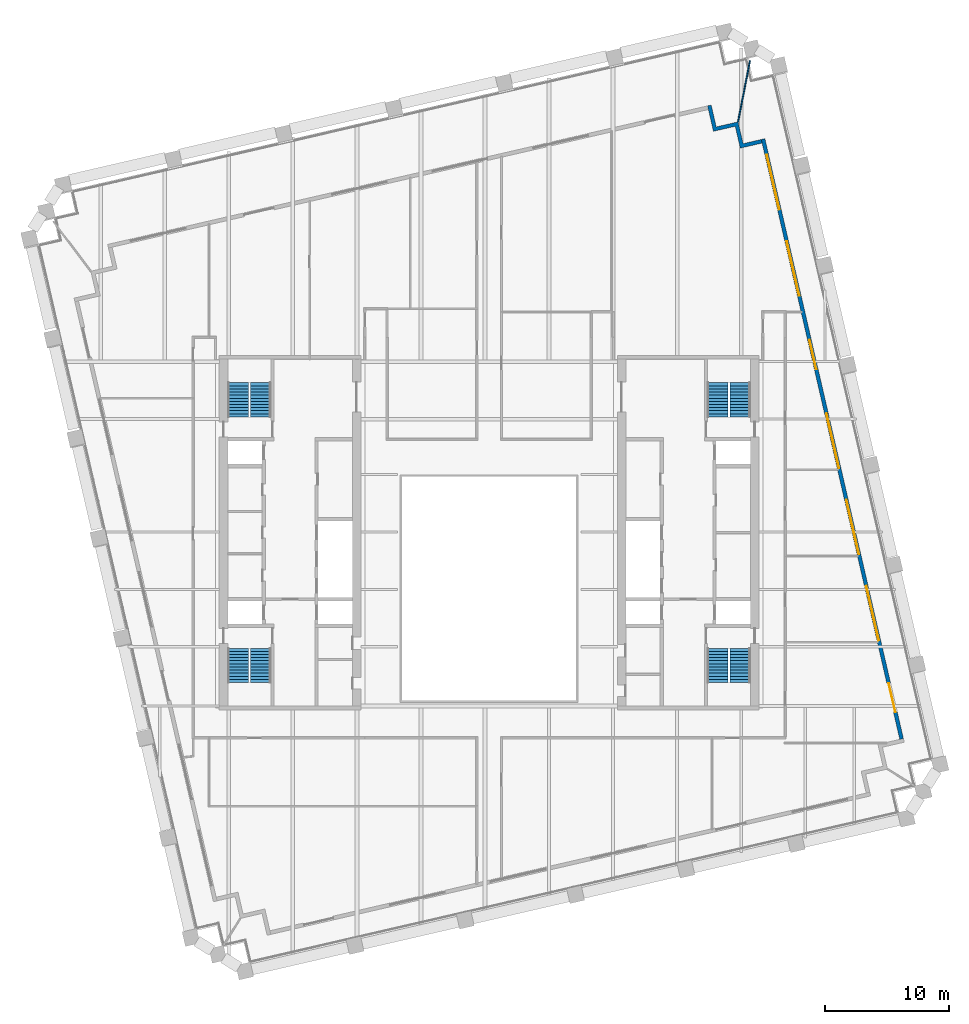
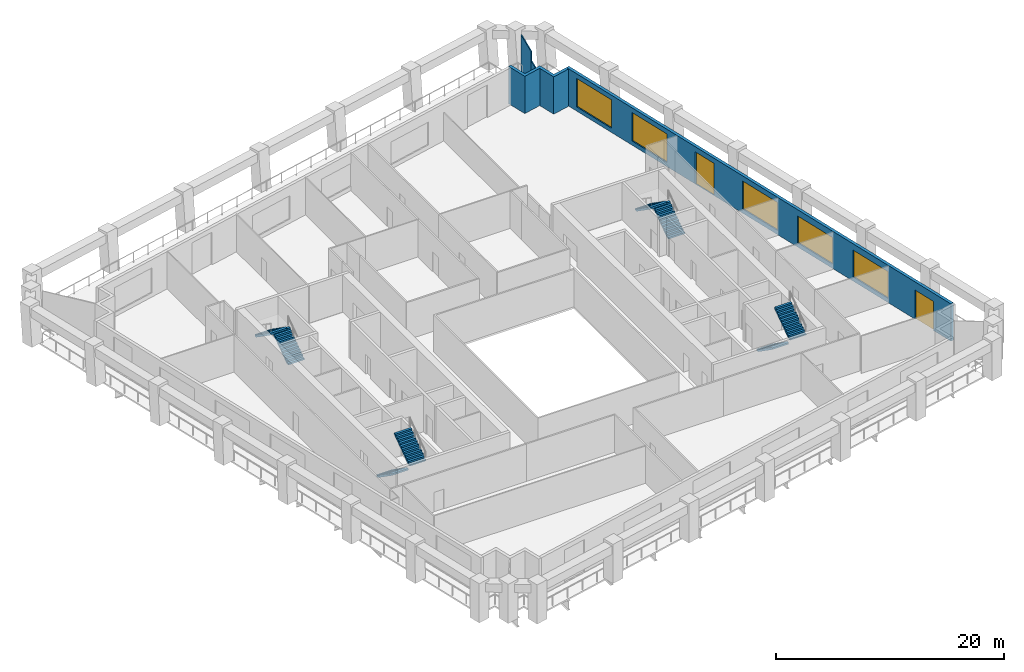
# One storey, part 8 of 10: 8 stair flights, 5 windows, 4 walls, 2 doors, 7 openings, 4 elements without a shape of their own.
"""IFC4 building model written with IfcOpenShell, lengths in metres."""

from ifc_helpers import new_model, si_unit, direction, frame, frame_2d, origin, place, context, subcontext, project, spatial, polyline, rectangle, outline, extrude, material, layer, layer_set, type_object, element, fill, aggregate, save


model = new_model("IFC4")

# Units and contexts
model_context = context("Model", 3, precision=1e-05, world=origin(), true_north=direction((0.0, 1.0)))
body_context = subcontext(model_context, "Body", "Model", "MODEL_VIEW")
ifc_project = project(units=[si_unit("LENGTHUNIT", "METRE"), si_unit("AREAUNIT", "SQUARE_METRE"), si_unit("VOLUMEUNIT", "CUBIC_METRE"), si_unit("PLANEANGLEUNIT", "RADIAN"), si_unit("MASSUNIT", "GRAM", prefix="KILO")], contexts=[model_context])

# Site, building, storey
site_placement = place(None, origin())
site = spatial("IfcSite", under=ifc_project, at=site_placement, CompositionType="ELEMENT")
building_placement = place(site_placement, origin())
building = spatial("IfcBuilding", under=site, at=building_placement, Name="Ogive Exchange Tower", CompositionType="ELEMENT")
storey_placement = place(building_placement, frame((0.0, 0.0, 201.0)))
storey = spatial("IfcBuildingStorey", under=building, at=storey_placement, Name="L44", CompositionType="ELEMENT", Elevation=201.0)

# Wall, openings, doors, windows
ifc_material_1 = material(Name="Precast concrete C40/50", Category="concrete")
ifc_layer_1 = layer(ifc_material_1, 0.300048828125)
ifc_layer_set_1 = layer_set([ifc_layer_1], Name="Limestone-faced wall 300")
wall_type_1 = type_object("IfcWallType", Name="Limestone-faced wall 300", PredefinedType="STANDARD", material=ifc_layer_set_1)
wall_1_placement = place(storey_placement, frame((33.1572265625, -5.092041015625, 0.0), z_axis=(0.0, 0.0, 1.0), x_axis=(-0.224950279389, 0.974370243697, 0.0)))
wall_1 = element("IfcWall", 1, at=wall_1_placement, inside=storey, type_object=wall_type_1, Name="External wall E2", PredefinedType="STANDARD", context=body_context, shape_type="SweptSolid", body=[
    extrude(rectangle(XDim=49.499755859375, YDim=0.300048828125, at=frame_2d((24.75, 0.0))), origin(), (0.0, 0.0, 1.0), 4.0),
])
opening_1_placement = place(wall_1_placement, frame((2.20703125, 0.0, 0.0)))
opening_1 = element("IfcOpeningElement", 2, at=opening_1_placement, cuts=wall_1, Name="Opening D1J", PredefinedType="OPENING", context=body_context, shape_type="SweptSolid", body=[
    extrude(rectangle(XDim=2.39990234375, YDim=3.125, at=frame_2d((1.199951171875, 1.5625))), frame((0.0, 0.159912109375, 0.0), z_axis=(0.0, -1.0, 0.0), x_axis=(1.0, 0.0, 0.0)), (0.0, 0.0, 1.0), 0.320068359375),
])
opening_2_placement = place(wall_1_placement, frame((8.121337890625, 0.0, 0.449951171875)))
opening_2 = element("IfcOpeningElement", 3, at=opening_2_placement, cuts=wall_1, Name="Opening W1D", PredefinedType="OPENING", context=body_context, shape_type="SweptSolid", body=[
    extrude(rectangle(XDim=4.5, YDim=2.875, at=frame_2d((2.25, 1.4375))), frame((0.0, 0.159912109375, 0.0), z_axis=(0.0, -1.0, 0.0), x_axis=(1.0, 0.0, 0.0)), (0.0, 0.0, 1.0), 0.320068359375),
])
opening_3_placement = place(wall_1_placement, frame((15.235595703125, 0.0, 0.449951171875)))
opening_3 = element("IfcOpeningElement", 4, at=opening_3_placement, cuts=wall_1, Name="Opening W1D", PredefinedType="OPENING", context=body_context, shape_type="SweptSolid", body=[
    extrude(rectangle(XDim=4.5, YDim=2.875, at=frame_2d((2.25, 1.4375))), frame((0.0, 0.159912109375, 0.0), z_axis=(0.0, -1.0, 0.0), x_axis=(1.0, 0.0, 0.0)), (0.0, 0.0, 1.0), 0.320068359375),
])
opening_4_placement = place(wall_1_placement, frame((22.35009765625, 0.0, 0.449951171875)))
opening_4 = element("IfcOpeningElement", 5, at=opening_4_placement, cuts=wall_1, Name="Opening W1A", PredefinedType="OPENING", context=body_context, shape_type="SweptSolid", body=[
    extrude(rectangle(XDim=4.5, YDim=3.0, at=frame_2d((2.25, 1.5))), frame((0.0, 0.159912109375, 0.0), z_axis=(0.0, -1.0, 0.0), x_axis=(1.0, 0.0, 0.0)), (0.0, 0.0, 1.0), 0.320068359375),
])
opening_5_placement = place(wall_1_placement, frame((30.51416015625, 0.0, 0.0)))
opening_5 = element("IfcOpeningElement", 6, at=opening_5_placement, cuts=wall_1, Name="Opening D1A", PredefinedType="OPENING", context=body_context, shape_type="SweptSolid", body=[
    extrude(rectangle(XDim=2.39990234375, YDim=3.449951171875, at=frame_2d((1.199951171875, 1.72509765625))), frame((0.0, 0.159912109375, 0.0), z_axis=(0.0, -1.0, 0.0), x_axis=(1.0, 0.0, 0.0)), (0.0, 0.0, 1.0), 0.320068359375),
])
opening_6_placement = place(wall_1_placement, frame((36.57861328125, 0.0, 0.449951171875)))
opening_6 = element("IfcOpeningElement", 7, at=opening_6_placement, cuts=wall_1, Name="Opening W1", PredefinedType="OPENING", context=body_context, shape_type="SweptSolid", body=[
    extrude(rectangle(XDim=4.5, YDim=3.050048828125, at=frame_2d((2.25, 1.52490234375))), frame((0.0, 0.159912109375, 0.0), z_axis=(0.0, -1.0, 0.0), x_axis=(1.0, 0.0, 0.0)), (0.0, 0.0, 1.0), 0.320068359375),
])
opening_7_placement = place(wall_1_placement, frame((43.69287109375, 0.0, 0.449951171875)))
opening_7 = element("IfcOpeningElement", 8, at=opening_7_placement, cuts=wall_1, Name="Opening W1", PredefinedType="OPENING", context=body_context, shape_type="SweptSolid", body=[
    extrude(rectangle(XDim=4.5, YDim=3.050048828125, at=frame_2d((2.25, 1.52490234375))), frame((0.0, 0.159912109375, 0.0), z_axis=(0.0, -1.0, 0.0), x_axis=(1.0, 0.0, 0.0)), (0.0, 0.0, 1.0), 0.320068359375),
])
ifc_material_2 = material(Name="Clear glass in bronze frame", Category="glass")
door_type_1 = type_object("IfcDoorType", Name="Sliding loggia door 2400 x 3125", OperationType="DOUBLE_DOOR_SLIDING", PredefinedType="DOOR", material=ifc_material_2)
door_1_placement = place(opening_1_placement, origin())
door_1 = element("IfcDoor", 9, at=door_1_placement, inside=storey, type_object=door_type_1, Name="Loggia door E00", OperationType="DOUBLE_DOOR_SLIDING", OverallHeight=3.125, OverallWidth=2.39990234375, PredefinedType="DOOR", context=body_context, shape_type="SweptSolid", body=[
    extrude(rectangle(XDim=2.39990234375, YDim=3.125, at=frame_2d((1.199951171875, 1.5625))), frame((0.0, 0.02490234375, 0.0), z_axis=(0.0, -1.0, 0.0), x_axis=(1.0, 0.0, 0.0)), (0.0, 0.0, 1.0), 0.050048828125),
])
fill(opening_1, door_1)
door_type_2 = type_object("IfcDoorType", Name="Sliding loggia door 2400 x 3450", OperationType="DOUBLE_DOOR_SLIDING", PredefinedType="DOOR", material=ifc_material_2)
door_2_placement = place(opening_5_placement, origin())
door_2 = element("IfcDoor", 10, at=door_2_placement, inside=storey, type_object=door_type_2, Name="Loggia door E04", OperationType="DOUBLE_DOOR_SLIDING", OverallHeight=3.449951171875, OverallWidth=2.39990234375, PredefinedType="DOOR", context=body_context, shape_type="SweptSolid", body=[
    extrude(rectangle(XDim=2.39990234375, YDim=3.449951171875, at=frame_2d((1.199951171875, 1.72509765625))), frame((0.0, 0.02490234375, 0.0), z_axis=(0.0, -1.0, 0.0), x_axis=(1.0, 0.0, 0.0)), (0.0, 0.0, 1.0), 0.050048828125),
])
fill(opening_5, door_2)
window_type_1 = type_object("IfcWindowType", Name="Twin lancet window 4500 x 2875", PartitioningType="DOUBLE_PANEL_VERTICAL", PredefinedType="WINDOW", material=ifc_material_2)
window_1_placement = place(opening_2_placement, origin())
window_1 = element("IfcWindow", 11, at=window_1_placement, inside=storey, type_object=window_type_1, Name="Window E01", OverallHeight=2.875, OverallWidth=4.5, PartitioningType="DOUBLE_PANEL_VERTICAL", PredefinedType="WINDOW", context=body_context, shape_type="SweptSolid", body=[
    extrude(rectangle(XDim=4.5, YDim=2.875, at=frame_2d((2.25, 1.4375))), frame((0.0, 0.030029296875, 0.0), z_axis=(0.0, -1.0, 0.0), x_axis=(1.0, 0.0, 0.0)), (0.0, 0.0, 1.0), 0.06005859375),
])
fill(opening_2, window_1)
window_2_placement = place(opening_3_placement, origin())
window_2 = element("IfcWindow", 12, at=window_2_placement, inside=storey, type_object=window_type_1, Name="Window E02", OverallHeight=2.875, OverallWidth=4.5, PartitioningType="DOUBLE_PANEL_VERTICAL", PredefinedType="WINDOW", context=body_context, shape_type="SweptSolid", body=[
    extrude(rectangle(XDim=4.5, YDim=2.875, at=frame_2d((2.25, 1.4375))), frame((0.0, 0.030029296875, 0.0), z_axis=(0.0, -1.0, 0.0), x_axis=(1.0, 0.0, 0.0)), (0.0, 0.0, 1.0), 0.06005859375),
])
fill(opening_3, window_2)
window_type_2 = type_object("IfcWindowType", Name="Twin lancet window 4500 x 3000", PartitioningType="DOUBLE_PANEL_VERTICAL", PredefinedType="WINDOW", material=ifc_material_2)
window_3_placement = place(opening_4_placement, origin())
window_3 = element("IfcWindow", 13, at=window_3_placement, inside=storey, type_object=window_type_2, Name="Window E03", OverallHeight=3.0, OverallWidth=4.5, PartitioningType="DOUBLE_PANEL_VERTICAL", PredefinedType="WINDOW", context=body_context, shape_type="SweptSolid", body=[
    extrude(rectangle(XDim=4.5, YDim=3.0, at=frame_2d((2.25, 1.5))), frame((0.0, 0.030029296875, 0.0), z_axis=(0.0, -1.0, 0.0), x_axis=(1.0, 0.0, 0.0)), (0.0, 0.0, 1.0), 0.06005859375),
])
fill(opening_4, window_3)
window_type_3 = type_object("IfcWindowType", Name="Twin lancet window 4500 x 3050", PartitioningType="DOUBLE_PANEL_VERTICAL", PredefinedType="WINDOW", material=ifc_material_2)
window_4_placement = place(opening_6_placement, origin())
window_4 = element("IfcWindow", 14, at=window_4_placement, inside=storey, type_object=window_type_3, Name="Window E05", OverallHeight=3.050048828125, OverallWidth=4.5, PartitioningType="DOUBLE_PANEL_VERTICAL", PredefinedType="WINDOW", context=body_context, shape_type="SweptSolid", body=[
    extrude(rectangle(XDim=4.5, YDim=3.050048828125, at=frame_2d((2.25, 1.52490234375))), frame((0.0, 0.030029296875, 0.0), z_axis=(0.0, -1.0, 0.0), x_axis=(1.0, 0.0, 0.0)), (0.0, 0.0, 1.0), 0.06005859375),
])
fill(opening_6, window_4)
window_5_placement = place(opening_7_placement, origin())
window_5 = element("IfcWindow", 15, at=window_5_placement, inside=storey, type_object=window_type_3, Name="Window E06", OverallHeight=3.050048828125, OverallWidth=4.5, PartitioningType="DOUBLE_PANEL_VERTICAL", PredefinedType="WINDOW", context=body_context, shape_type="SweptSolid", body=[
    extrude(rectangle(XDim=4.5, YDim=3.050048828125, at=frame_2d((2.25, 1.52490234375))), frame((0.0, 0.030029296875, 0.0), z_axis=(0.0, -1.0, 0.0), x_axis=(1.0, 0.0, 0.0)), (0.0, 0.0, 1.0), 0.06005859375),
])
fill(opening_7, window_5)

# Walls
wall_2_placement = place(storey_placement, origin())
element("IfcWall", 16, at=wall_2_placement, inside=storey, type_object=wall_type_1, Name="External corner wall C2", PredefinedType="STANDARD", context=body_context, shape_type="SweptSolid", body=[
    extrude(outline(polyline([(19.78466796875, 44.162109375), (18.03076171875, 43.757080078125), (17.558349609375, 45.80322265625), (17.8505859375, 45.870849609375), (18.255615234375, 44.116943359375), (20.009521484375, 44.52197265625), (20.414306640625, 42.76806640625), (21.8759765625, 43.10546875), (21.943359375, 42.81298828125), (20.189697265625, 42.408203125), (19.78466796875, 44.162109375)])), origin(), (0.0, 0.0, 1.0), 4.0),
])
ifc_material_3 = material(Name="Laminated safety glass in steel frame", Category="steel")
ifc_layer_2 = layer(ifc_material_3, 0.10009765625)
ifc_layer_set_2 = layer_set([ifc_layer_2], Name="Loggia end screen 100")
wall_type_2 = type_object("IfcWallType", Name="Loggia end screen 100", PredefinedType="STANDARD", material=ifc_layer_set_2)
wall_3_placement = place(storey_placement, frame((20.009521484375, 44.52197265625, -0.050048828125), z_axis=(0.0, 0.0, 1.0), x_axis=(0.191885207639, 0.981417376598, 0.0)))
element("IfcWall", 17, at=wall_3_placement, inside=storey, type_object=wall_type_2, Name="Loggia end screen C2", PredefinedType="STANDARD", context=body_context, shape_type="SweptSolid", body=[
    extrude(rectangle(XDim=2.2646484375, YDim=0.10009765625, at=frame_2d((1.13232421875, 0.0))), origin(), (0.0, 0.0, 1.0), 3.070068359375),
])
wall_4_placement = place(storey_placement, frame((20.444091796875, 46.74462890625, -0.050048828125), z_axis=(0.0, 0.0, 1.0), x_axis=(0.191918760648, 0.981410815771, 0.0)))
element("IfcWall", 18, at=wall_4_placement, inside=storey, type_object=wall_type_2, Name="Loggia end screen C2", PredefinedType="STANDARD", context=body_context, shape_type="SweptSolid", body=[
    extrude(rectangle(XDim=2.7529296875, YDim=0.10009765625, at=frame_2d((1.37646484375, 0.0))), origin(), (0.0, 0.0, 1.0), 4.050048828125),
])

# Stair, stair flights
ifc_material_4 = material(Name="Concrete C40/50", Category="concrete")
stair_type = type_object("IfcStairType", Name="Exit stair 1650 wide", PredefinedType="HALF_TURN_STAIR", material=ifc_material_4)
stair_1_placement = place(storey_placement, origin())
stair_1 = element("IfcStair", 19, at=stair_1_placement, inside=storey, type_object=stair_type, Name="L44 exit stair ST1", PredefinedType="HALF_TURN_STAIR")
stair_flight_type = type_object("IfcStairFlightType", Name="Stair flight 1650 wide", PredefinedType="STRAIGHT", material=ifc_material_4)
stair_flight_1_placement = place(storey_placement, frame((-20.175048828125, 2.199951171875, 0.0), z_axis=(0.0, 0.0, 1.0), x_axis=(0.0, -1.0, 0.0)))
stair_flight_1 = element("IfcStairFlight", 20, at=stair_flight_1_placement, type_object=stair_flight_type, Name="ST1 flight 1", NumberOfRisers=12, NumberOfTreads=11, PredefinedType="STRAIGHT", RiserHeight=0.175, TreadLength=0.25, context=body_context, shape_type="SweptSolid", body=[
    extrude(outline(polyline([(0.0, 0.0), (0.0, 0.175048828125), (0.25, 0.175048828125), (0.25, 0.35009765625), (0.5, 0.35009765625), (0.5, 0.52490234375), (0.75, 0.52490234375), (0.75, 0.699951171875), (1.0, 0.699951171875), (1.0, 0.875), (1.25, 0.875), (1.25, 1.050048828125), (1.5, 1.050048828125), (1.5, 1.22509765625), (1.75, 1.22509765625), (1.75, 1.39990234375), (2.0, 1.39990234375), (2.0, 1.574951171875), (2.25, 1.574951171875), (2.25, 1.75), (2.5, 1.75), (2.5, 1.925048828125), (2.75, 1.925048828125), (2.75, 2.10009765625), (2.75, 1.741943359375), (0.261474609375, 0.0), (0.0, 0.0)])), frame((0.0, 0.824951171875, 0.0), z_axis=(0.0, -1.0, 0.0), x_axis=(1.0, 0.0, 0.0)), (0.0, 0.0, 1.0), 1.64990234375),
])
stair_flight_2_placement = place(storey_placement, frame((-18.375, -0.550048828125, 2.10009765625), z_axis=(0.0, 0.0, 1.0), x_axis=(0.0, 1.0, 0.0)))
stair_flight_2 = element("IfcStairFlight", 21, at=stair_flight_2_placement, type_object=stair_flight_type, Name="ST1 flight 2", NumberOfRisers=12, NumberOfTreads=11, PredefinedType="STRAIGHT", RiserHeight=0.175, TreadLength=0.25, context=body_context, shape_type="SweptSolid", body=[
    extrude(outline(polyline([(0.0, 0.0), (0.0, 0.175048828125), (0.25, 0.175048828125), (0.25, 0.35009765625), (0.5, 0.35009765625), (0.5, 0.52490234375), (0.75, 0.52490234375), (0.75, 0.699951171875), (1.0, 0.699951171875), (1.0, 0.875), (1.25, 0.875), (1.25, 1.050048828125), (1.5, 1.050048828125), (1.5, 1.22509765625), (1.75, 1.22509765625), (1.75, 1.39990234375), (2.0, 1.39990234375), (2.0, 1.574951171875), (2.25, 1.574951171875), (2.25, 1.75), (2.5, 1.75), (2.5, 1.925048828125), (2.75, 1.925048828125), (2.75, 2.10009765625), (2.75, 1.741943359375), (0.261474609375, 0.0), (0.0, 0.0)])), frame((0.0, 0.824951171875, 0.0), z_axis=(0.0, -1.0, 0.0), x_axis=(1.0, 0.0, 0.0)), (0.0, 0.0, 1.0), 1.64990234375),
])
aggregate(stair_1, [stair_flight_1, stair_flight_2])

stair_2_placement = place(storey_placement, origin())
stair_2 = element("IfcStair", 22, at=stair_2_placement, inside=storey, type_object=stair_type, Name="L44 exit stair ST2", PredefinedType="HALF_TURN_STAIR")
stair_flight_3_placement = place(storey_placement, frame((-18.375, 20.800048828125, 0.0), z_axis=(0.0, 0.0, 1.0), x_axis=(0.0, 1.0, 0.0)))
stair_flight_3 = element("IfcStairFlight", 23, at=stair_flight_3_placement, type_object=stair_flight_type, Name="ST2 flight 1", NumberOfRisers=12, NumberOfTreads=11, PredefinedType="STRAIGHT", RiserHeight=0.175, TreadLength=0.25, context=body_context, shape_type="SweptSolid", body=[
    extrude(outline(polyline([(0.0, 0.0), (0.0, 0.175048828125), (0.25, 0.175048828125), (0.25, 0.35009765625), (0.5, 0.35009765625), (0.5, 0.52490234375), (0.75, 0.52490234375), (0.75, 0.699951171875), (1.0, 0.699951171875), (1.0, 0.875), (1.25, 0.875), (1.25, 1.050048828125), (1.5, 1.050048828125), (1.5, 1.22509765625), (1.75, 1.22509765625), (1.75, 1.39990234375), (2.0, 1.39990234375), (2.0, 1.574951171875), (2.25, 1.574951171875), (2.25, 1.75), (2.5, 1.75), (2.5, 1.925048828125), (2.75, 1.925048828125), (2.75, 2.10009765625), (2.75, 1.741943359375), (0.261474609375, 0.0), (0.0, 0.0)])), frame((0.0, 0.824951171875, 0.0), z_axis=(0.0, -1.0, 0.0), x_axis=(1.0, 0.0, 0.0)), (0.0, 0.0, 1.0), 1.64990234375),
])
stair_flight_4_placement = place(storey_placement, frame((-20.175048828125, 23.550048828125, 2.10009765625), z_axis=(0.0, 0.0, 1.0), x_axis=(0.0, -1.0, 0.0)))
stair_flight_4 = element("IfcStairFlight", 24, at=stair_flight_4_placement, type_object=stair_flight_type, Name="ST2 flight 2", NumberOfRisers=12, NumberOfTreads=11, PredefinedType="STRAIGHT", RiserHeight=0.175, TreadLength=0.25, context=body_context, shape_type="SweptSolid", body=[
    extrude(outline(polyline([(0.0, 0.0), (0.0, 0.175048828125), (0.25, 0.175048828125), (0.25, 0.35009765625), (0.5, 0.35009765625), (0.5, 0.52490234375), (0.75, 0.52490234375), (0.75, 0.699951171875), (1.0, 0.699951171875), (1.0, 0.875), (1.25, 0.875), (1.25, 1.050048828125), (1.5, 1.050048828125), (1.5, 1.22509765625), (1.75, 1.22509765625), (1.75, 1.39990234375), (2.0, 1.39990234375), (2.0, 1.574951171875), (2.25, 1.574951171875), (2.25, 1.75), (2.5, 1.75), (2.5, 1.925048828125), (2.75, 1.925048828125), (2.75, 2.10009765625), (2.75, 1.741943359375), (0.261474609375, 0.0), (0.0, 0.0)])), frame((0.0, 0.824951171875, 0.0), z_axis=(0.0, -1.0, 0.0), x_axis=(1.0, 0.0, 0.0)), (0.0, 0.0, 1.0), 1.64990234375),
])
aggregate(stair_2, [stair_flight_3, stair_flight_4])

stair_3_placement = place(storey_placement, origin())
stair_3 = element("IfcStair", 25, at=stair_3_placement, inside=storey, type_object=stair_type, Name="L44 exit stair ST3", PredefinedType="HALF_TURN_STAIR")
stair_flight_5_placement = place(storey_placement, frame((18.375, 2.199951171875, 0.0), z_axis=(0.0, 0.0, 1.0), x_axis=(0.0, -1.0, 0.0)))
stair_flight_5 = element("IfcStairFlight", 26, at=stair_flight_5_placement, type_object=stair_flight_type, Name="ST3 flight 1", NumberOfRisers=12, NumberOfTreads=11, PredefinedType="STRAIGHT", RiserHeight=0.175, TreadLength=0.25, context=body_context, shape_type="SweptSolid", body=[
    extrude(outline(polyline([(0.0, 0.0), (0.0, 0.175048828125), (0.25, 0.175048828125), (0.25, 0.35009765625), (0.5, 0.35009765625), (0.5, 0.52490234375), (0.75, 0.52490234375), (0.75, 0.699951171875), (1.0, 0.699951171875), (1.0, 0.875), (1.25, 0.875), (1.25, 1.050048828125), (1.5, 1.050048828125), (1.5, 1.22509765625), (1.75, 1.22509765625), (1.75, 1.39990234375), (2.0, 1.39990234375), (2.0, 1.574951171875), (2.25, 1.574951171875), (2.25, 1.75), (2.5, 1.75), (2.5, 1.925048828125), (2.75, 1.925048828125), (2.75, 2.10009765625), (2.75, 1.741943359375), (0.261474609375, 0.0), (0.0, 0.0)])), frame((0.0, 0.824951171875, 0.0), z_axis=(0.0, -1.0, 0.0), x_axis=(1.0, 0.0, 0.0)), (0.0, 0.0, 1.0), 1.64990234375),
])
stair_flight_6_placement = place(storey_placement, frame((20.175048828125, -0.550048828125, 2.10009765625), z_axis=(0.0, 0.0, 1.0), x_axis=(0.0, 1.0, 0.0)))
stair_flight_6 = element("IfcStairFlight", 27, at=stair_flight_6_placement, type_object=stair_flight_type, Name="ST3 flight 2", NumberOfRisers=12, NumberOfTreads=11, PredefinedType="STRAIGHT", RiserHeight=0.175, TreadLength=0.25, context=body_context, shape_type="SweptSolid", body=[
    extrude(outline(polyline([(0.0, 0.0), (0.0, 0.175048828125), (0.25, 0.175048828125), (0.25, 0.35009765625), (0.5, 0.35009765625), (0.5, 0.52490234375), (0.75, 0.52490234375), (0.75, 0.699951171875), (1.0, 0.699951171875), (1.0, 0.875), (1.25, 0.875), (1.25, 1.050048828125), (1.5, 1.050048828125), (1.5, 1.22509765625), (1.75, 1.22509765625), (1.75, 1.39990234375), (2.0, 1.39990234375), (2.0, 1.574951171875), (2.25, 1.574951171875), (2.25, 1.75), (2.5, 1.75), (2.5, 1.925048828125), (2.75, 1.925048828125), (2.75, 2.10009765625), (2.75, 1.741943359375), (0.261474609375, 0.0), (0.0, 0.0)])), frame((0.0, 0.824951171875, 0.0), z_axis=(0.0, -1.0, 0.0), x_axis=(1.0, 0.0, 0.0)), (0.0, 0.0, 1.0), 1.64990234375),
])
aggregate(stair_3, [stair_flight_5, stair_flight_6])

stair_4_placement = place(storey_placement, origin())
stair_4 = element("IfcStair", 28, at=stair_4_placement, inside=storey, type_object=stair_type, Name="L44 exit stair ST4", PredefinedType="HALF_TURN_STAIR")
stair_flight_7_placement = place(storey_placement, frame((20.175048828125, 20.800048828125, 0.0), z_axis=(0.0, 0.0, 1.0), x_axis=(0.0, 1.0, 0.0)))
stair_flight_7 = element("IfcStairFlight", 29, at=stair_flight_7_placement, type_object=stair_flight_type, Name="ST4 flight 1", NumberOfRisers=12, NumberOfTreads=11, PredefinedType="STRAIGHT", RiserHeight=0.175, TreadLength=0.25, context=body_context, shape_type="SweptSolid", body=[
    extrude(outline(polyline([(0.0, 0.0), (0.0, 0.175048828125), (0.25, 0.175048828125), (0.25, 0.35009765625), (0.5, 0.35009765625), (0.5, 0.52490234375), (0.75, 0.52490234375), (0.75, 0.699951171875), (1.0, 0.699951171875), (1.0, 0.875), (1.25, 0.875), (1.25, 1.050048828125), (1.5, 1.050048828125), (1.5, 1.22509765625), (1.75, 1.22509765625), (1.75, 1.39990234375), (2.0, 1.39990234375), (2.0, 1.574951171875), (2.25, 1.574951171875), (2.25, 1.75), (2.5, 1.75), (2.5, 1.925048828125), (2.75, 1.925048828125), (2.75, 2.10009765625), (2.75, 1.741943359375), (0.261474609375, 0.0), (0.0, 0.0)])), frame((0.0, 0.824951171875, 0.0), z_axis=(0.0, -1.0, 0.0), x_axis=(1.0, 0.0, 0.0)), (0.0, 0.0, 1.0), 1.64990234375),
])
stair_flight_8_placement = place(storey_placement, frame((18.375, 23.550048828125, 2.10009765625), z_axis=(0.0, 0.0, 1.0), x_axis=(0.0, -1.0, 0.0)))
stair_flight_8 = element("IfcStairFlight", 30, at=stair_flight_8_placement, type_object=stair_flight_type, Name="ST4 flight 2", NumberOfRisers=12, NumberOfTreads=11, PredefinedType="STRAIGHT", RiserHeight=0.175, TreadLength=0.25, context=body_context, shape_type="SweptSolid", body=[
    extrude(outline(polyline([(0.0, 0.0), (0.0, 0.175048828125), (0.25, 0.175048828125), (0.25, 0.35009765625), (0.5, 0.35009765625), (0.5, 0.52490234375), (0.75, 0.52490234375), (0.75, 0.699951171875), (1.0, 0.699951171875), (1.0, 0.875), (1.25, 0.875), (1.25, 1.050048828125), (1.5, 1.050048828125), (1.5, 1.22509765625), (1.75, 1.22509765625), (1.75, 1.39990234375), (2.0, 1.39990234375), (2.0, 1.574951171875), (2.25, 1.574951171875), (2.25, 1.75), (2.5, 1.75), (2.5, 1.925048828125), (2.75, 1.925048828125), (2.75, 2.10009765625), (2.75, 1.741943359375), (0.261474609375, 0.0), (0.0, 0.0)])), frame((0.0, 0.824951171875, 0.0), z_axis=(0.0, -1.0, 0.0), x_axis=(1.0, 0.0, 0.0)), (0.0, 0.0, 1.0), 1.64990234375),
])
aggregate(stair_4, [stair_flight_7, stair_flight_8])

save(model, "model.ifc")
